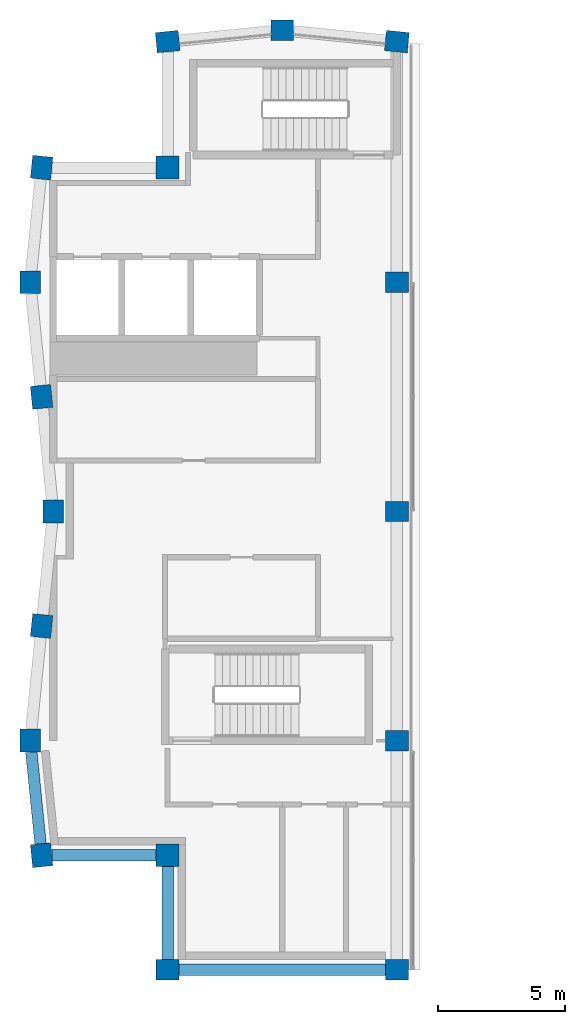
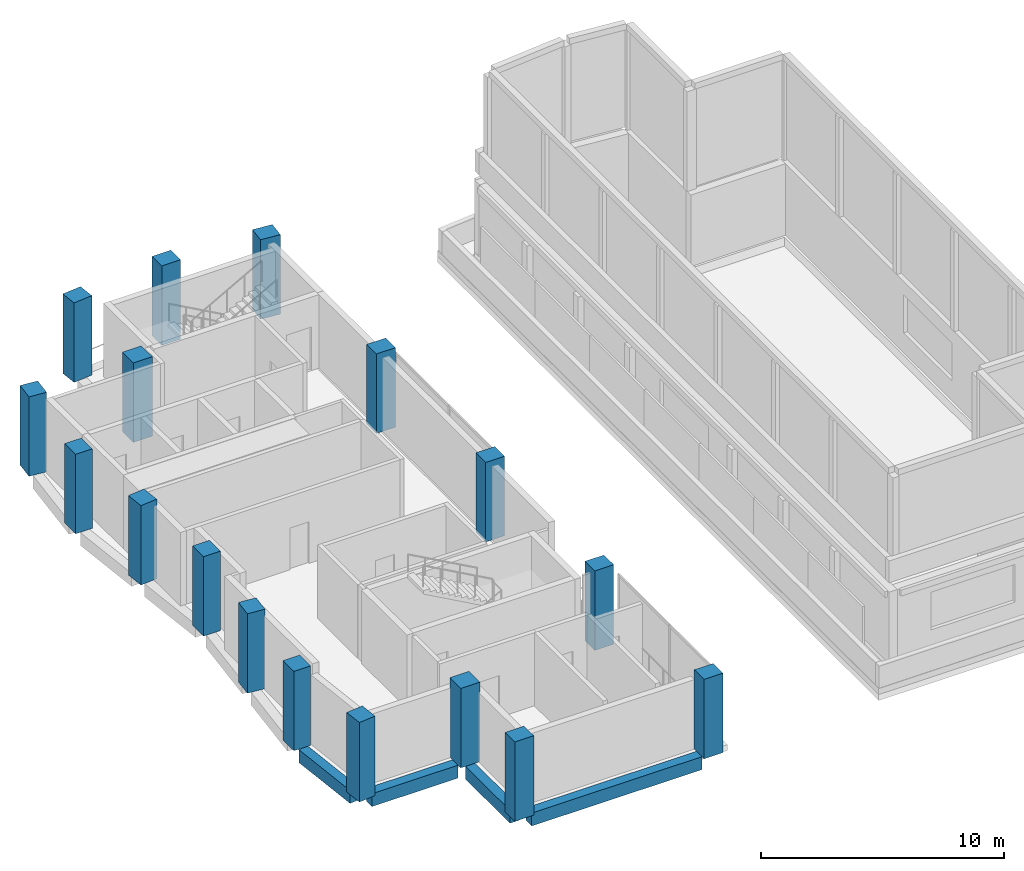
# One storey, part 1 of 8: 17 columns, 4 beams.
"""IFC4 building model written with IfcOpenShell, lengths in metres."""

from ifc_helpers import new_model, si_unit, direction, frame, origin, origin_2d, place, context, subcontext, project, spatial, rectangle, extrude, material, material_profile, profile_set, type_object, element, save


model = new_model("IFC4")

# Units and contexts
model_context = context("Model", 3, precision=1e-05, world=origin(), true_north=direction((0.0, 1.0)))
body_context = subcontext(model_context, "Body", "Model", "MODEL_VIEW")
ifc_project = project(units=[si_unit("LENGTHUNIT", "METRE"), si_unit("AREAUNIT", "SQUARE_METRE"), si_unit("VOLUMEUNIT", "CUBIC_METRE"), si_unit("PLANEANGLEUNIT", "RADIAN"), si_unit("MASSUNIT", "GRAM", prefix="KILO")], contexts=[model_context])

# Site, building, storey
site_placement = place(None, origin())
site = spatial("IfcSite", under=ifc_project, at=site_placement, CompositionType="ELEMENT")
building_placement = place(site_placement, origin())
building = spatial("IfcBuilding", under=site, at=building_placement, Name="Brondeck Convention Tower", CompositionType="ELEMENT")
storey_placement = place(building_placement, frame((0.0, 0.0, 298.800048828125)))
storey = spatial("IfcBuildingStorey", under=building, at=storey_placement, Name="L74", CompositionType="ELEMENT", Elevation=298.800048828125)

# Columns
ifc_material = material(Name="Concrete C50/60", Category="concrete")
ifc_material_profile_1 = material_profile(ifc_material, rectangle(XDim=0.89990234375, YDim=0.89990234375, at=origin_2d()), Name="Corner column 900x900 Concrete C50/60")
ifc_profile_set_1 = profile_set([ifc_material_profile_1], Name="Concrete C50/60")
column_type_1 = type_object("IfcColumnType", Name="Corner column 900x900 Concrete C50/60", PredefinedType="COLUMN", material=ifc_profile_set_1)
for number, where, z_axis, x_axis, name in (
    (1, (4.5, 31.5, 0.0), (0.0, 0.0, 1.0), (1.0, 0.0, 0.0), "STR-COL-L74-NC-KSW"),
    (2, (4.5, 58.5, 0.0), (0.0, 0.0, 1.0), (1.0, 0.0, 0.0), "STR-COL-L74-NC-NW"),
):
    element("IfcColumn", number, at=place(storey_placement, frame(where, z_axis=z_axis, x_axis=x_axis)), inside=storey, type_object=column_type_1, Name=name, PredefinedType="COLUMN", context=body_context, shape_type="SweptSolid", body=[
        extrude(rectangle(XDim=0.89990234375, YDim=0.89990234375, at=origin_2d()), origin(), (0.0, 0.0, 1.0), 4.0),
    ])
ifc_material_profile_2 = material_profile(ifc_material, rectangle(XDim=0.89990234375, YDim=0.800048828125, at=origin_2d()), Name="Crown pier 900x800 Concrete C50/60")
ifc_profile_set_2 = profile_set([ifc_material_profile_2], Name="Concrete C50/60")
column_type_2 = type_object("IfcColumnType", Name="Crown pier 900x800 Concrete C50/60", PredefinedType="COLUMN", material=ifc_profile_set_2)
for number, where, z_axis, x_axis, name in (
    (3, (4.5, 27.0, 0.0), (0.0, 0.0, 1.0), (1.0, 0.0, 0.0), "STR-COL-L74-PC-K-S-01"),
    (4, (13.5, 27.0, 0.0), (0.0, 0.0, 1.0), (1.0, 0.0, 0.0), "STR-COL-L74-PC-K-S-03"),
    (5, (13.5, 36.0, 0.0), (0.0, 0.0, 1.0), (1.0, 0.0, 0.0), "STR-COL-L74-PC-SLOT-W-01"),
    (6, (13.5, 45.0, 0.0), (0.0, 0.0, 1.0), (1.0, 0.0, 0.0), "STR-COL-L74-PC-SLOT-W-02"),
    (7, (13.5, 54.0, 0.0), (0.0, 0.0, 1.0), (1.0, 0.0, 0.0), "STR-COL-L74-PC-SLOT-W-03"),
    (8, (13.5, 63.449951171875, 0.0), (0.0, 0.0, 1.0), (-0.995037178292, 0.0995038382, 0.0), "STR-COL-L74-PC-A-N-03"),
    (9, (9.0, 63.89990234375, 0.0), (0.0, 0.0, 1.0), (-1.0, 0.0, 0.0), "STR-COL-L74-PC-A-N-02"),
    (10, (4.5, 63.449951171875, 0.0), (0.0, 0.0, 1.0), (-0.995037178292, -0.0995038382, 0.0), "STR-COL-L74-PC-A-N-01"),
    (11, (-0.449951171875, 58.5, 0.0), (0.0, 0.0, 1.0), (-0.0995038382, -0.995037178292, 0.0), "STR-COL-L74-PC-B-W-01"),
    (12, (-0.89990234375, 54.0, 0.0), (0.0, 0.0, 1.0), (0.0, -1.0, 0.0), "STR-COL-L74-PC-B-W-02"),
    (13, (-0.449951171875, 49.5, 0.0), (0.0, 0.0, 1.0), (0.0995038382, -0.995037178292, 0.0), "STR-COL-L74-PC-B-W-03"),
    (14, (0.0, 45.0, 0.0), (0.0, 0.0, 1.0), (0.0, -1.0, 0.0), "STR-COL-L74-PC-B-W-04"),
    (15, (-0.449951171875, 40.5, 0.0), (0.0, 0.0, 1.0), (-0.0995038382, -0.995037178292, 0.0), "STR-COL-L74-PC-B-W-05"),
    (16, (-0.89990234375, 36.0, 0.0), (0.0, 0.0, 1.0), (0.0, -1.0, 0.0), "STR-COL-L74-PC-B-W-06"),
    (17, (-0.449951171875, 31.5, 0.0), (0.0, 0.0, 1.0), (0.0995038382, -0.995037178292, 0.0), "STR-COL-L74-PC-B-W-07"),
):
    element("IfcColumn", number, at=place(storey_placement, frame(where, z_axis=z_axis, x_axis=x_axis)), inside=storey, type_object=column_type_2, Name=name, PredefinedType="COLUMN", context=body_context, shape_type="SweptSolid", body=[
        extrude(rectangle(XDim=0.89990234375, YDim=0.800048828125, at=origin_2d()), origin(), (0.0, 0.0, 1.0), 4.0),
    ])

# Beams
ifc_material_profile_3 = material_profile(ifc_material, rectangle(XDim=0.449951171875, YDim=0.64990234375, at=origin_2d()), Name="Precast spandrel 450x650 Concrete C50/60")
ifc_profile_set_3 = profile_set([ifc_material_profile_3], Name="Concrete C50/60")
beam_type = type_object("IfcBeamType", Name="Precast spandrel 450x650 Concrete C50/60", PredefinedType="SPANDREL", material=ifc_profile_set_3)
beam_1_placement = place(storey_placement, frame((4.949951171875, 27.0, -0.324951171875), z_axis=(1.0, 0.0, 0.0), x_axis=(0.0, 1.0, 0.0)))
element("IfcBeam", 18, at=beam_1_placement, inside=storey, type_object=beam_type, Name="STR-SP-L74K1-001", PredefinedType="SPANDREL", context=body_context, shape_type="SweptSolid", body=[
    extrude(rectangle(XDim=0.449951171875, YDim=0.64990234375, at=origin_2d()), origin(), (0.0, 0.0, 1.0), 8.10009765625),
])
beam_2_placement = place(storey_placement, frame((-0.85498046875, 35.550048828125, -0.324951171875), z_axis=(0.099470334057, -0.995040528141, 0.0), x_axis=(0.995040528141, 0.099470334057, 0.0)))
element("IfcBeam", 19, at=beam_2_placement, inside=storey, type_object=beam_type, Name="STR-SP-L74K1-015", PredefinedType="SPANDREL", context=body_context, shape_type="SweptSolid", body=[
    extrude(rectangle(XDim=0.449951171875, YDim=0.64990234375, at=origin_2d()), origin(), (0.0, 0.0, 1.0), 3.620361328125),
])
beam_3_placement = place(storey_placement, frame((-0.048095703125, 31.5, -0.324951171875), z_axis=(1.0, 0.0, 0.0), x_axis=(0.0, 1.0, 0.0)))
element("IfcBeam", 20, at=beam_3_placement, inside=storey, type_object=beam_type, Name="STR-SP-L74K1-016", PredefinedType="SPANDREL", context=body_context, shape_type="SweptSolid", body=[
    extrude(rectangle(XDim=0.449951171875, YDim=0.64990234375, at=origin_2d()), origin(), (0.0, 0.0, 1.0), 4.09814453125),
])
beam_4_placement = place(storey_placement, frame((4.5, 31.050048828125, -0.324951171875), z_axis=(0.0, -1.0, 0.0), x_axis=(1.0, 0.0, 0.0)))
element("IfcBeam", 21, at=beam_4_placement, inside=storey, type_object=beam_type, Name="STR-SP-L74K1-017", PredefinedType="SPANDREL", context=body_context, shape_type="SweptSolid", body=[
    extrude(rectangle(XDim=0.449951171875, YDim=0.64990234375, at=origin_2d()), origin(), (0.0, 0.0, 1.0), 3.650146484375),
])

save(model, "model.ifc")
